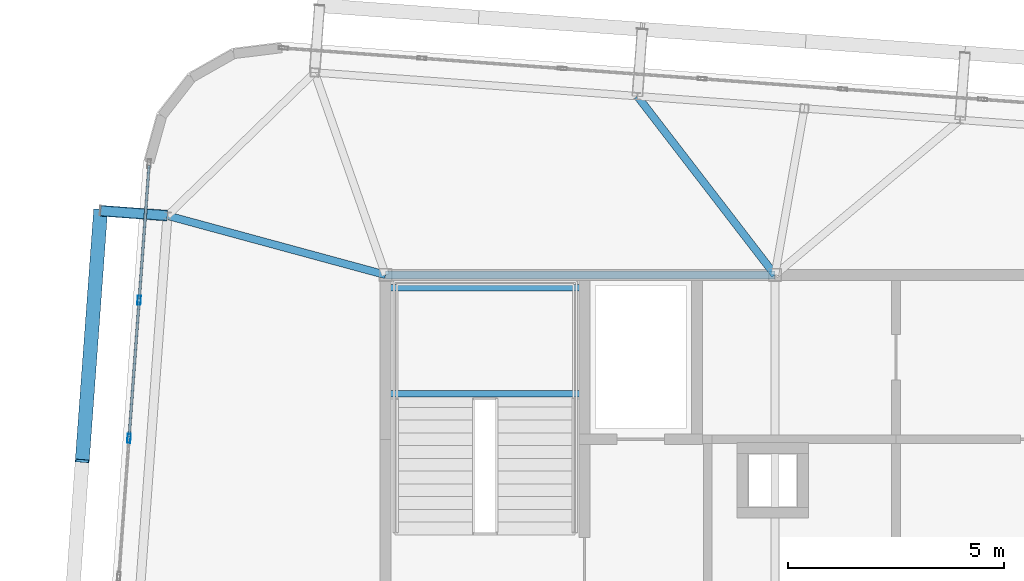
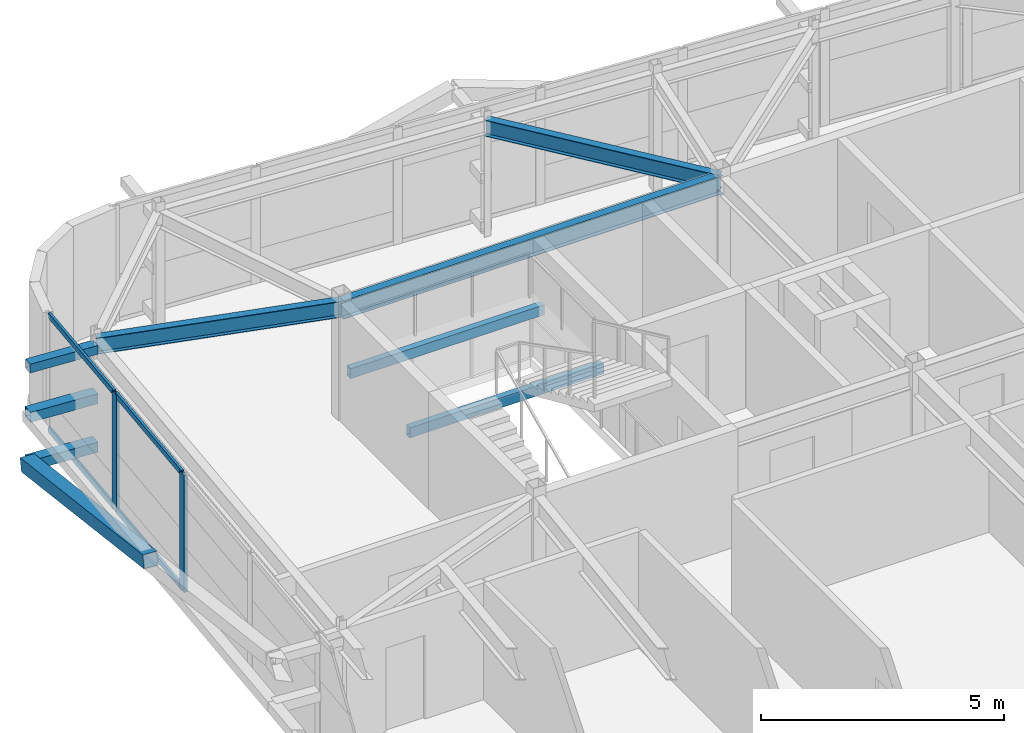
# One storey, part 17 of 42: 10 members, 5 beams, 1 element without a shape of its own.
"""IFC4 building model written with IfcOpenShell, lengths in metres."""

from ifc_helpers import new_model, si_unit, direction, frame, origin, origin_2d, place, context, subcontext, project, spatial, hollow_rectangle, i_section, extrude, source, transform, mapped, material, layer, layer_set, material_profile, profile_set, type_object, element, aggregate, save


model = new_model("IFC4")

# Units and contexts
model_context = context("Model", 3, precision=1e-05, world=origin(), true_north=direction((0.0, 1.0)))
body_context = subcontext(model_context, "Body", "Model", "MODEL_VIEW")
ifc_project = project(units=[si_unit("LENGTHUNIT", "METRE"), si_unit("AREAUNIT", "SQUARE_METRE"), si_unit("VOLUMEUNIT", "CUBIC_METRE"), si_unit("PLANEANGLEUNIT", "RADIAN"), si_unit("MASSUNIT", "GRAM", prefix="KILO")], contexts=[model_context])

# Site, building, storey
site_placement = place(None, origin())
site = spatial("IfcSite", under=ifc_project, at=site_placement, CompositionType="ELEMENT")
building_placement = place(site_placement, origin())
building = spatial("IfcBuilding", under=site, at=building_placement, Name="Taldren Reach Tower", CompositionType="ELEMENT")
storey_placement = place(building_placement, frame((0.0, 0.0, 217.699951171875)))
storey = spatial("IfcBuildingStorey", under=building, at=storey_placement, Name="L66", CompositionType="ELEMENT", Elevation=217.699951171875)

# Beams
ifc_material_1 = material(Name="Steel Gr 350 (350PLUS)", Category="steel")
ifc_material_profile_1 = material_profile(ifc_material_1, i_section(OverallWidth=0.19091796875, OverallDepth=0.4599609375, WebThickness=0.010009765625, FlangeThickness=0.01611328125, at=origin_2d()), Name="460UB82.1")
ifc_profile_set_1 = profile_set([ifc_material_profile_1], Name="Steel Gr 350 (350PLUS)")
beam_type_1 = type_object("IfcBeamType", Name="BM-UB460A", PredefinedType="BEAM", material=ifc_profile_set_1)
shared_shape_1 = source(origin(), body_context, "Body", "SweptSolid", [
    extrude(i_section(OverallWidth=0.19091796875, OverallDepth=0.4599609375, WebThickness=0.010009765625, FlangeThickness=0.01611328125, at=origin_2d()), origin(), (0.0, 0.0, 1.0), 9.0),
])
beam_1_placement = place(storey_placement, frame((19.0, 32.0, 2.699951171875), z_axis=(1.0, 0.0, 0.0), x_axis=(0.0, 1.0, 0.0)))
element("IfcBeam", 1, at=beam_1_placement, inside=storey, type_object=beam_type_1, Name="Core-spine girder L66-SP04", PredefinedType="BEAM", context=body_context, shape_type="MappedRepresentation", body=[
    mapped(shared_shape_1, transform((0.0, 0.0, 0.0), scale=1.0)),
])
ifc_material_profile_2 = material_profile(ifc_material_1, i_section(OverallWidth=0.177978515625, OverallDepth=0.406005859375, WebThickness=0.0078125, FlangeThickness=0.0126953125, at=origin_2d()), Name="410UB59.7")
ifc_profile_set_2 = profile_set([ifc_material_profile_2], Name="Steel Gr 350 (350PLUS)")
beam_type_2 = type_object("IfcBeamType", Name="BM-UB410", PredefinedType="BEAM", material=ifc_profile_set_2)
shared_shape_2 = source(origin(), body_context, "Body", "SweptSolid", [
    extrude(i_section(OverallWidth=0.177978515625, OverallDepth=0.406005859375, WebThickness=0.0078125, FlangeThickness=0.0126953125, at=origin_2d()), origin(), (0.0, 0.0, 1.0), 5.213623046875),
])
beam_2_placement = place(storey_placement, frame((28.0, 32.0, 2.72705078125), z_axis=(-0.61002980411, 0.792378468976, 0.0), x_axis=(-0.792378468976, -0.61002980411, 0.0)))
element("IfcBeam", 2, at=beam_2_placement, inside=storey, type_object=beam_type_2, Name="Primary floor girder B5-N2 L66", PredefinedType="BEAM", context=body_context, shape_type="MappedRepresentation", body=[
    mapped(shared_shape_2, transform((0.0, 0.0, 0.0), scale=1.0)),
])
shared_shape_3 = source(origin(), body_context, "Body", "SweptSolid", [
    extrude(i_section(OverallWidth=0.177978515625, OverallDepth=0.406005859375, WebThickness=0.0078125, FlangeThickness=0.0126953125, at=origin_2d()), origin(), (0.0, 0.0, 1.0), 5.224365234375),
])
beam_3_placement = place(storey_placement, frame((19.0, 32.0, 2.72705078125), z_axis=(-0.965049032336, 0.262069390022, 0.0), x_axis=(-0.262069390022, -0.965049032336, 0.0)))
element("IfcBeam", 3, at=beam_3_placement, inside=storey, type_object=beam_type_2, Name="Primary floor girder B5-W3 L66", PredefinedType="BEAM", context=body_context, shape_type="MappedRepresentation", body=[
    mapped(shared_shape_3, transform((0.0, 0.0, 0.0), scale=1.0)),
])

# Members
ifc_material_2 = material(Name="Steel Gr 450 (C450L0)", Category="steel")
ifc_material_profile_3 = material_profile(ifc_material_2, hollow_rectangle(XDim=0.219970703125, YDim=0.219970703125, WallThickness=0.00830078125, at=origin_2d()), Name="220x220x8.2SHS")
ifc_profile_set_3 = profile_set([ifc_material_profile_3], Name="Steel Gr 450 (C450L0)")
member_type_1 = type_object("IfcMemberType", Name="MB-TIE219", PredefinedType="STRUT", material=ifc_profile_set_3)
shared_shape_4 = source(origin(), body_context, "Body", "SweptSolid", [
    extrude(hollow_rectangle(XDim=0.219970703125, YDim=0.219970703125, WallThickness=0.00830078125, at=origin_2d()), origin(), (0.0, 0.0, 1.0), 1.5458984375),
])
member_1_placement = place(storey_placement, frame((13.9541015625, 33.369384765625, 2.650146484375), z_axis=(-0.997311530447, 0.073278313559, 0.0), x_axis=(-0.073278313559, -0.997311530447, 0.0)))
element("IfcMember", 4, at=member_1_placement, inside=storey, type_object=member_type_1, Name="Exoskeleton diaphragm tie strut B5-W3 L66", PredefinedType="STRUT", context=body_context, shape_type="MappedRepresentation", body=[
    mapped(shared_shape_4, transform((0.0, 0.0, 0.0), scale=1.0)),
])
ifc_material_profile_4 = material_profile(ifc_material_2, hollow_rectangle(XDim=0.324951171875, YDim=0.324951171875, WallThickness=0.0126953125, at=origin_2d()), Name="325x325x12.7SHS")
ifc_profile_set_4 = profile_set([ifc_material_profile_4], Name="Steel Gr 450 (C450L0)")
member_type_2 = type_object("IfcMemberType", Name="MB-BR324", PredefinedType="BRACE", material=ifc_profile_set_4)
shared_shape_5 = source(origin(), body_context, "Body", "SweptSolid", [
    extrude(hollow_rectangle(XDim=0.324951171875, YDim=0.324951171875, WallThickness=0.0126953125, at=origin_2d()), origin(), (0.0, 0.0, 1.0), 5.926025390625),
])
member_2_placement = place(storey_placement, frame((12.412353515625, 33.482666015625, 0.219970703125), z_axis=(-0.071685935393, -0.976123486939, 0.205046494513), x_axis=(0.997314185625, -0.073242167855, 0.0)))
element("IfcMember", 5, at=member_2_placement, inside=storey, type_object=member_type_2, Name="Exoskeleton Diagrid Brace B5-W2 L66", PredefinedType="BRACE", context=body_context, shape_type="MappedRepresentation", body=[
    mapped(shared_shape_5, transform((0.0, 0.0, 0.0), scale=1.0)),
])
ifc_material_3 = material(Name="Steel Gr 350 (C350L0)", Category="steel")
ifc_material_profile_5 = material_profile(ifc_material_3, hollow_rectangle(XDim=0.25, YDim=0.25, WallThickness=0.010009765625, at=origin_2d()), Name="250x250x10.0SHS")
ifc_profile_set_5 = profile_set([ifc_material_profile_5], Name="Steel Gr 350 (C350L0)")
member_type_3 = type_object("IfcMemberType", Name="MB-POST250", PredefinedType="POST", material=ifc_profile_set_5)
shared_shape_6 = source(origin(), body_context, "Body", "SweptSolid", [
    extrude(hollow_rectangle(XDim=0.25, YDim=0.25, WallThickness=0.010009765625, at=origin_2d()), origin(), (0.0, 0.0, 1.0), 1.5458984375),
])
for number, where, z_axis, x_axis, name in (
    (6, (13.9541015625, 33.369384765625, 0.219970703125), (-0.997311530447, 0.073278313559, 0.0), (-0.073278313559, -0.997311530447, 0.0), "Exoskeleton base diaphragm tie strut B5-W3 L66"),
    (7, (13.9541015625, 33.369384765625, 1.43505859375), (-0.997311530447, 0.073278313559, 0.0), (-0.073278313559, -0.997311530447, 0.0), "Exoskeleton mid-tier diaphragm tie B5-W3 L66"),
):
    element("IfcMember", number, at=place(storey_placement, frame(where, z_axis=z_axis, x_axis=x_axis)), inside=storey, type_object=member_type_3, Name=name, PredefinedType="POST", context=body_context, shape_type="MappedRepresentation", body=[
        mapped(shared_shape_6, transform((0.0, 0.0, 0.0), scale=1.0)),
    ])

# Curtain wall, members
ifc_material_4 = material(Name="Aluminium and Low-E Glass Unitised System", Category="aluminium")
ifc_layer = layer(ifc_material_4, 0.159912109375)
ifc_layer_set = layer_set([ifc_layer], Name="Aluminium and Low-E Glass Unitised System")
curtain_wall_type = type_object("IfcCurtainWallType", Name="CW-SYS-6", PredefinedType="NOTDEFINED", material=ifc_layer_set)
curtain_wall_placement = place(storey_placement, origin())
curtain_wall = element("IfcCurtainWall", 8, at=curtain_wall_placement, inside=storey, type_object=curtain_wall_type, Name="Unitised curtain wall CW-L66-W", PredefinedType="NOTDEFINED")
ifc_material_5 = material(Name="Anodised Aluminium 6063-T6", Category="aluminium")
ifc_material_profile_6 = material_profile(ifc_material_5, hollow_rectangle(XDim=0.074951171875, YDim=0.2099609375, WallThickness=0.00439453125, at=origin_2d()), Name="ALU-210x75x4.5RHS")
ifc_profile_set_6 = profile_set([ifc_material_profile_6], Name="Anodised Aluminium 6063-T6")
member_type_4 = type_object("IfcMemberType", Name="CW-MUL-200", PredefinedType="MULLION", material=ifc_profile_set_6)
shared_shape_7 = source(origin(), body_context, "Body", "SweptSolid", [
    extrude(hollow_rectangle(XDim=0.074951171875, YDim=0.2099609375, WallThickness=0.00439453125, at=origin_2d()), origin(), (0.0, 0.0, 1.0), 2.929931640625),
])
member_3_placement = place(storey_placement, frame((13.30322265625, 31.411865234375, 0.0), z_axis=(0.0, 0.0, 1.0), x_axis=(0.997314470951, -0.073238282558, 0.0)))
member_3 = element("IfcMember", 9, at=member_3_placement, type_object=member_type_4, Name="CW-6 mullion 2", PredefinedType="MULLION", context=body_context, shape_type="MappedRepresentation", body=[
    mapped(shared_shape_7, transform((0.0, 0.0, 0.0), scale=1.0)),
])
member_4_placement = place(storey_placement, frame((13.06884765625, 28.220458984375, 0.0), z_axis=(0.0, 0.0, 1.0), x_axis=(0.997314470951, -0.073238282558, 0.0)))
member_4 = element("IfcMember", 10, at=member_4_placement, type_object=member_type_4, Name="CW-6 mullion 3", PredefinedType="MULLION", context=body_context, shape_type="MappedRepresentation", body=[
    mapped(shared_shape_7, transform((0.0, 0.0, 0.0), scale=1.0)),
])
ifc_material_profile_7 = material_profile(ifc_material_5, hollow_rectangle(XDim=0.06005859375, YDim=0.135009765625, WallThickness=0.00341796875, at=origin_2d()), Name="ALU-135x60x3.5RHS")
ifc_profile_set_7 = profile_set([ifc_material_profile_7], Name="Anodised Aluminium 6063-T6")
member_type_5 = type_object("IfcMemberType", Name="CW-TRN-150", PredefinedType="USERDEFINED", material=ifc_profile_set_7)
shared_shape_8 = source(origin(), body_context, "Body", "SweptSolid", [
    extrude(hollow_rectangle(XDim=0.06005859375, YDim=0.135009765625, WallThickness=0.00341796875, at=origin_2d()), origin(), (0.0, 0.0, 1.0), 3.08740234375),
])
member_5_placement = place(storey_placement, frame((13.531982421875, 34.5283203125, 0.030029296875), z_axis=(-0.073225031802, -0.997315443938, 0.0), x_axis=(0.997315443938, -0.073225031802, 0.0)))
member_5 = element("IfcMember", 11, at=member_5_placement, type_object=member_type_5, Name="CW-6 transom 1.1", ObjectType="TRANSOM", PredefinedType="USERDEFINED", context=body_context, shape_type="MappedRepresentation", body=[
    mapped(shared_shape_8, transform((0.0, 0.0, 0.0), scale=1.0)),
])
member_6_placement = place(storey_placement, frame((13.531982421875, 34.5283203125, 2.900146484375), z_axis=(-0.073225031802, -0.997315443938, 0.0), x_axis=(0.997315443938, -0.073225031802, 0.0)))
member_6 = element("IfcMember", 12, at=member_6_placement, type_object=member_type_5, Name="CW-6 transom 1.2", ObjectType="TRANSOM", PredefinedType="USERDEFINED", context=body_context, shape_type="MappedRepresentation", body=[
    mapped(shared_shape_8, transform((0.0, 0.0, 0.0), scale=1.0)),
])
shared_shape_9 = source(origin(), body_context, "Body", "SweptSolid", [
    extrude(hollow_rectangle(XDim=0.06005859375, YDim=0.135009765625, WallThickness=0.00341796875, at=origin_2d()), origin(), (0.0, 0.0, 1.0), 3.125),
])
member_7_placement = place(storey_placement, frame((13.30029296875, 31.37451171875, 0.030029296875), z_axis=(-0.073201175928, -0.997317195201, 0.0), x_axis=(0.997317195201, -0.073201175928, 0.0)))
member_7 = element("IfcMember", 13, at=member_7_placement, type_object=member_type_5, Name="CW-6 transom 2.1", ObjectType="TRANSOM", PredefinedType="USERDEFINED", context=body_context, shape_type="MappedRepresentation", body=[
    mapped(shared_shape_9, transform((0.0, 0.0, 0.0), scale=1.0)),
])
member_8_placement = place(storey_placement, frame((13.30029296875, 31.37451171875, 2.900146484375), z_axis=(-0.073201175928, -0.997317195201, 0.0), x_axis=(0.997317195201, -0.073201175928, 0.0)))
member_8 = element("IfcMember", 14, at=member_8_placement, type_object=member_type_5, Name="CW-6 transom 2.2", ObjectType="TRANSOM", PredefinedType="USERDEFINED", context=body_context, shape_type="MappedRepresentation", body=[
    mapped(shared_shape_9, transform((0.0, 0.0, 0.0), scale=1.0)),
])
aggregate(curtain_wall, [member_3, member_4, member_5, member_6, member_7, member_8])

# Beams
ifc_material_profile_8 = material_profile(ifc_material_3, hollow_rectangle(XDim=0.14990234375, YDim=0.25, WallThickness=0.009033203125, at=origin_2d()), Name="250x150x9.0RHS")
ifc_profile_set_8 = profile_set([ifc_material_profile_8], Name="Steel Gr 350 (C350L0)")
beam_type_3 = type_object("IfcBeamType", Name="LN-RHS250", PredefinedType="LINTEL", material=ifc_profile_set_8)
shared_shape_10 = source(origin(), body_context, "Body", "SweptSolid", [
    extrude(hollow_rectangle(XDim=0.14990234375, YDim=0.25, WallThickness=0.009033203125, at=origin_2d()), origin(), (0.0, 0.0, 1.0), 4.60009765625),
])
for number, where, z_axis, x_axis, name in (
    (15, (19.0, 29.2548828125, 1.27001953125), (1.0, 0.0, 0.0), (0.0, 1.0, 0.0), "Stair half-landing support beam ST1-L66-1"),
    (16, (19.0, 31.699951171875, 1.27001953125), (1.0, 0.0, 0.0), (0.0, 1.0, 0.0), "Stair half-landing support beam ST1-L66-2"),
):
    element("IfcBeam", number, at=place(storey_placement, frame(where, z_axis=z_axis, x_axis=x_axis)), inside=storey, type_object=beam_type_3, Name=name, PredefinedType="LINTEL", context=body_context, shape_type="MappedRepresentation", body=[
        mapped(shared_shape_10, transform((0.0, 0.0, 0.0), scale=1.0)),
    ])

save(model, "model.ifc")
